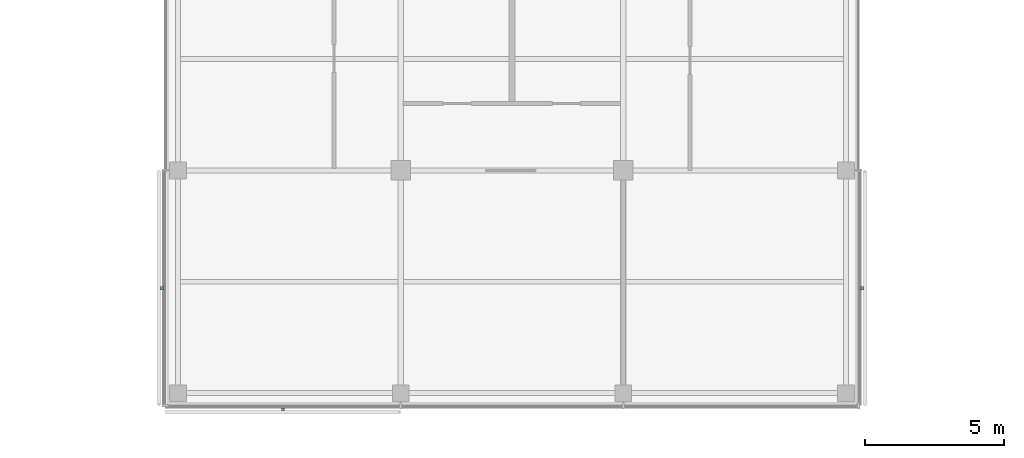
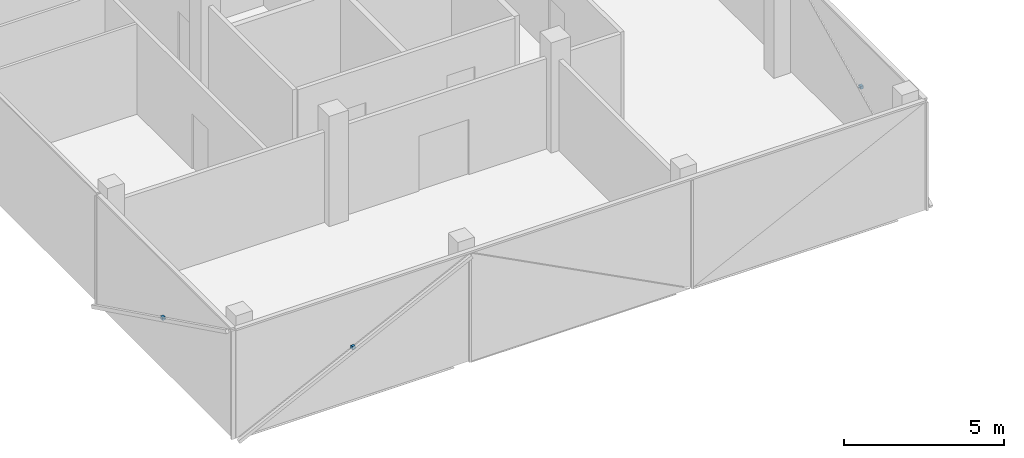
# One storey, part 14 of 16: 3 discrete accessories.
"""IFC4 building model written with IfcOpenShell, lengths in metres."""

from ifc_helpers import new_model, si_unit, direction, frame, origin, origin_2d, place, context, subcontext, project, spatial, rectangle, extrude, material, type_object, element, save


model = new_model("IFC4")

# Units and contexts
model_context = context("Model", 3, precision=1e-05, world=origin(), true_north=direction((0.0, 1.0)))
body_context = subcontext(model_context, "Body", "Model", "MODEL_VIEW")
ifc_project = project(units=[si_unit("LENGTHUNIT", "METRE"), si_unit("AREAUNIT", "SQUARE_METRE"), si_unit("VOLUMEUNIT", "CUBIC_METRE"), si_unit("PLANEANGLEUNIT", "RADIAN"), si_unit("MASSUNIT", "GRAM", prefix="KILO")], contexts=[model_context])

# Site, building, storey
site_placement = place(None, origin())
site = spatial("IfcSite", under=ifc_project, at=site_placement, CompositionType="ELEMENT")
building_placement = place(site_placement, origin())
building = spatial("IfcBuilding", under=site, at=building_placement, Name="Crosswind Convention Tower", CompositionType="ELEMENT")
storey_placement = place(building_placement, frame((0.0, 0.0, 278.699951171875)))
storey = spatial("IfcBuildingStorey", under=building, at=storey_placement, Name="L60", CompositionType="ELEMENT", Elevation=278.699951171875)

# Discrete accessories
ifc_material = material(Name="Stainless steel", Category="steel")
discrete_accessory_type = type_object("IfcDiscreteAccessoryType", Name="BAGUETTE BRACKET BK3", PredefinedType="BRACKET", material=ifc_material)
for number, where, z_axis, x_axis, name in (
    (1, (112.424072265625, 75.77001953125, 1.705078125), (0.0, 0.0, 1.0), (0.0, -1.0, 0.0), "BK3 baguette bracket"),
    (2, (116.77001953125, 71.424072265625, 1.705078125), (0.0, 0.0, 1.0), (1.0, 0.0, 0.0), "BK3 baguette bracket"),
    (3, (137.575927734375, 75.77001953125, 1.705078125), (0.0, 0.0, 1.0), (0.0, 1.0, 0.0), "BK3 baguette bracket"),
):
    element("IfcDiscreteAccessory", number, at=place(storey_placement, frame(where, z_axis=z_axis, x_axis=x_axis)), inside=storey, type_object=discrete_accessory_type, Name=name, PredefinedType="BRACKET", context=body_context, shape_type="SweptSolid", body=[
        extrude(rectangle(XDim=0.1201171875, YDim=0.10009765625, at=origin_2d()), origin(), (0.0, 0.0, 1.0), 0.1201171875),
    ])

save(model, "model.ifc")
